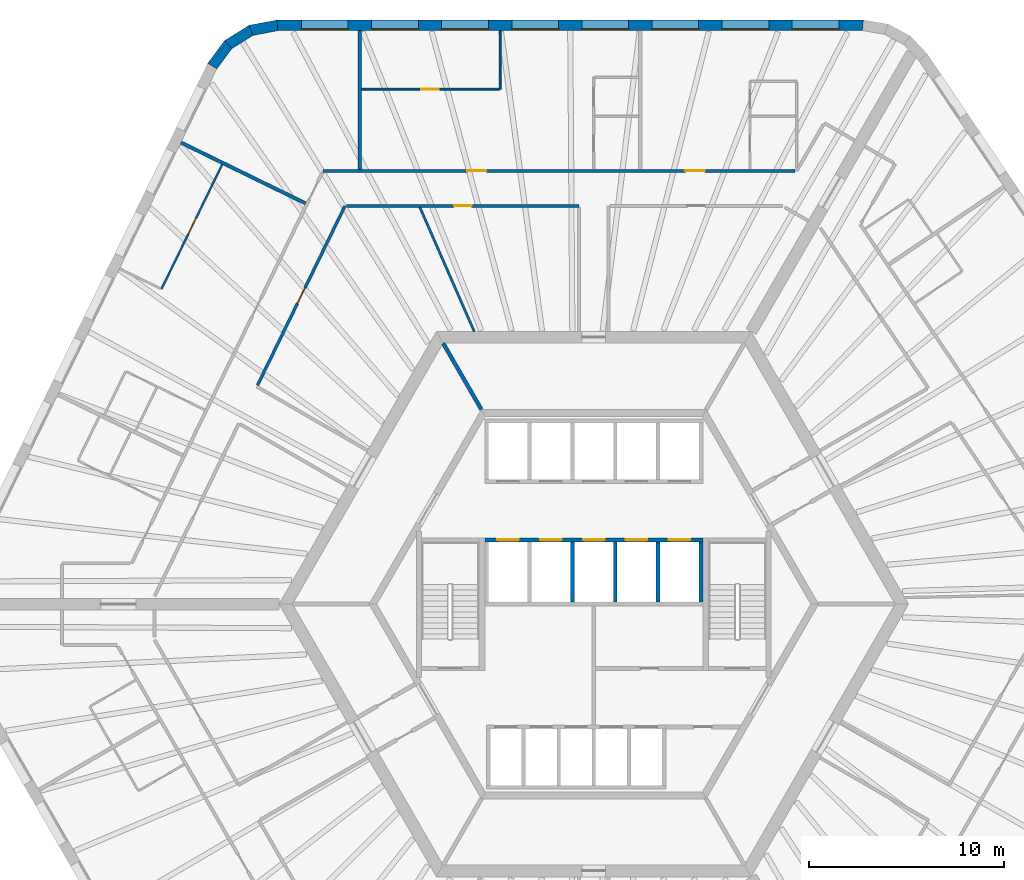
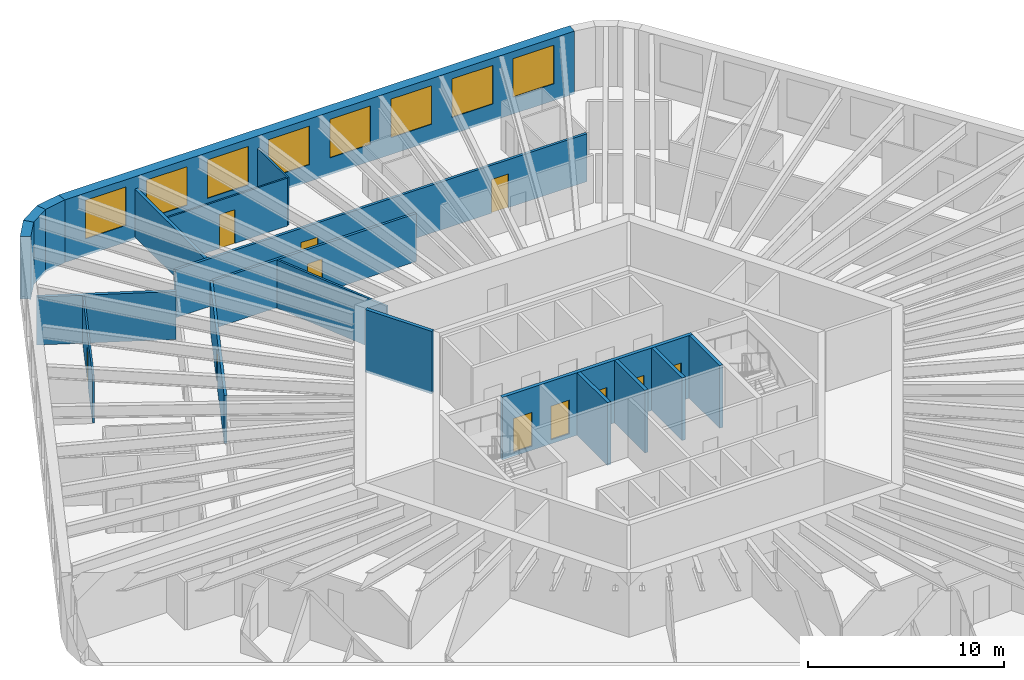
# One storey, part 8 of 12: 19 walls, 11 doors, 8 windows, 19 openings.
"""IFC4 building model written with IfcOpenShell, lengths in metres."""

from ifc_helpers import new_model, si_unit, direction, frame, frame_2d, origin, place, context, subcontext, project, spatial, polyline, rectangle, outline, extrude, material, layer, layer_set, type_object, element, fill, save


model = new_model("IFC4")

# Units and contexts
model_context = context("Model", 3, precision=1e-05, world=origin(), true_north=direction((0.0, 1.0)))
body_context = subcontext(model_context, "Body", "Model", "MODEL_VIEW")
ifc_project = project(units=[si_unit("LENGTHUNIT", "METRE"), si_unit("AREAUNIT", "SQUARE_METRE"), si_unit("VOLUMEUNIT", "CUBIC_METRE"), si_unit("PLANEANGLEUNIT", "RADIAN"), si_unit("MASSUNIT", "GRAM", prefix="KILO")], contexts=[model_context])

# Site, building, storey
site_placement = place(None, origin())
site = spatial("IfcSite", under=ifc_project, at=site_placement, CompositionType="ELEMENT")
building_placement = place(site_placement, origin())
building = spatial("IfcBuilding", under=site, at=building_placement, Name="Tarnside Tower", CompositionType="ELEMENT")
storey_placement = place(building_placement, frame((0.0, 0.0, 96.0)))
storey = spatial("IfcBuildingStorey", under=building, at=storey_placement, Name="L21", CompositionType="ELEMENT", Elevation=96.0)

# Wall, openings, doors
ifc_material_1 = material(Name="Gypsum board partition on steel studs", Category="steel")
ifc_layer_1 = layer(ifc_material_1, 0.14990234375)
ifc_layer_set_1 = layer_set([ifc_layer_1], Name="Corridor wall 150 EI 60")
wall_type_1 = type_object("IfcWallType", Name="Corridor wall 150 EI 60", PredefinedType="PARTITIONING", material=ifc_layer_set_1)
wall_1_placement = place(storey_placement, frame((10.33447265625, 22.25, 0.0), z_axis=(0.0, 0.0, 1.0), x_axis=(-1.0, 0.0, 0.0)))
wall_1 = element("IfcWall", 1, at=wall_1_placement, inside=storey, type_object=wall_type_1, Name="Corridor wall 06001", PredefinedType="PARTITIONING", context=body_context, shape_type="SweptSolid", body=[
    extrude(rectangle(XDim=24.23779296875, YDim=0.14990234375, at=frame_2d((12.118896484375, 0.0))), origin(), (0.0, 0.0, 1.0), 2.98779296875),
])
opening_1_placement = place(wall_1_placement, frame((4.62939453125, 0.0, 0.0)))
opening_1 = element("IfcOpeningElement", 2, at=opening_1_placement, cuts=wall_1, Name="Opening D-E1", PredefinedType="OPENING", context=body_context, shape_type="SweptSolid", body=[
    extrude(rectangle(XDim=1.0, YDim=2.10009765625, at=frame_2d((0.5, 1.050048828125))), frame((0.0, 0.0849609375, 0.0), z_axis=(0.0, -1.0, 0.0), x_axis=(1.0, 0.0, 0.0)), (0.0, 0.0, 1.0), 0.169921875),
])
opening_2_placement = place(wall_1_placement, frame((15.845703125, 0.0, 0.0)))
opening_2 = element("IfcOpeningElement", 3, at=opening_2_placement, cuts=wall_1, Name="Opening D-E1", PredefinedType="OPENING", context=body_context, shape_type="SweptSolid", body=[
    extrude(rectangle(XDim=1.0, YDim=2.10009765625, at=frame_2d((0.5, 1.050048828125))), frame((0.0, 0.0849609375, 0.0), z_axis=(0.0, -1.0, 0.0), x_axis=(1.0, 0.0, 0.0)), (0.0, 0.0, 1.0), 0.169921875),
])
ifc_material_2 = material(Name="Timber door leaf", Category="wood")
door_type_1 = type_object("IfcDoorType", Name="Unit entrance door 1000 FD30S", OperationType="NOTDEFINED", PredefinedType="DOOR", material=ifc_material_2)
door_1_placement = place(opening_1_placement, origin())
door_1 = element("IfcDoor", 4, at=door_1_placement, inside=storey, type_object=door_type_1, Name="Unit door 06001", OperationType="SINGLE_SWING_LEFT", OverallHeight=2.10009765625, OverallWidth=1.0, PredefinedType="DOOR", context=body_context, shape_type="SweptSolid", body=[
    extrude(rectangle(XDim=1.0, YDim=2.10009765625, at=frame_2d((0.5, 1.050048828125))), frame((0.0, 0.02490234375, 0.0), z_axis=(0.0, -1.0, 0.0), x_axis=(1.0, 0.0, 0.0)), (0.0, 0.0, 1.0), 0.050048828125),
])
fill(opening_1, door_1)
door_2_placement = place(opening_2_placement, origin())
door_2 = element("IfcDoor", 5, at=door_2_placement, inside=storey, type_object=door_type_1, Name="Unit door 06004", OperationType="SINGLE_SWING_RIGHT", OverallHeight=2.10009765625, OverallWidth=1.0, PredefinedType="DOOR", context=body_context, shape_type="SweptSolid", body=[
    extrude(rectangle(XDim=1.0, YDim=2.10009765625, at=frame_2d((0.5, 1.050048828125))), frame((0.0, 0.02490234375, 0.0), z_axis=(0.0, -1.0, 0.0), x_axis=(1.0, 0.0, 0.0)), (0.0, 0.0, 1.0), 0.050048828125),
])
fill(opening_2, door_2)

# Wall, opening, door
wall_2_placement = place(storey_placement, frame((-12.695068359375, 20.449951171875, 0.0), z_axis=(0.0, 0.0, 1.0), x_axis=(1.0, 0.0, 0.0)))
wall_2 = element("IfcWall", 6, at=wall_2_placement, inside=storey, type_object=wall_type_1, Name="Corridor wall 06015", PredefinedType="PARTITIONING", context=body_context, shape_type="SweptSolid", body=[
    extrude(rectangle(XDim=11.945068359375, YDim=0.14990234375, at=frame_2d((5.97265625, 0.0))), origin(), (0.0, 0.0, 1.0), 2.98779296875),
])
opening_3_placement = place(wall_2_placement, frame((5.5224609375, 0.0, 0.0)))
opening_3 = element("IfcOpeningElement", 7, at=opening_3_placement, cuts=wall_2, Name="Opening D-S1", PredefinedType="OPENING", context=body_context, shape_type="SweptSolid", body=[
    extrude(rectangle(XDim=0.89990234375, YDim=2.10009765625, at=frame_2d((0.449951171875, 1.050048828125))), frame((0.0, 0.0849609375, 0.0), z_axis=(0.0, -1.0, 0.0), x_axis=(1.0, 0.0, 0.0)), (0.0, 0.0, 1.0), 0.169921875),
])
door_type_2 = type_object("IfcDoorType", Name="Service room door 900 FD30S", OperationType="NOTDEFINED", PredefinedType="DOOR", material=ifc_material_2)
door_3_placement = place(opening_3_placement, origin())
door_3 = element("IfcDoor", 8, at=door_3_placement, inside=storey, type_object=door_type_2, Name="Service door 06042", OperationType="SINGLE_SWING_RIGHT", OverallHeight=2.10009765625, OverallWidth=0.89990234375, PredefinedType="DOOR", context=body_context, shape_type="SweptSolid", body=[
    extrude(rectangle(XDim=0.89990234375, YDim=2.10009765625, at=frame_2d((0.449951171875, 1.050048828125))), frame((0.0, 0.02490234375, 0.0), z_axis=(0.0, -1.0, 0.0), x_axis=(1.0, 0.0, 0.0)), (0.0, 0.0, 1.0), 0.050048828125),
])
fill(opening_3, door_3)

wall_3_placement = place(storey_placement, frame((-17.271728515625, 11.237548828125, 0.0), z_axis=(0.0, 0.0, 1.0), x_axis=(0.438369193793, 0.898794998836, 0.0)))
wall_3 = element("IfcWall", 9, at=wall_3_placement, inside=storey, type_object=wall_type_1, Name="Corridor wall 06018", PredefinedType="PARTITIONING", context=body_context, shape_type="SweptSolid", body=[
    extrude(rectangle(XDim=10.249755859375, YDim=0.14990234375, at=frame_2d((5.125, 0.0))), origin(), (0.0, 0.0, 1.0), 2.98779296875),
])
opening_4_placement = place(wall_3_placement, frame((4.6748046875, 0.0, 0.0)))
opening_4 = element("IfcOpeningElement", 10, at=opening_4_placement, cuts=wall_3, Name="Opening D-S1", PredefinedType="OPENING", context=body_context, shape_type="SweptSolid", body=[
    extrude(rectangle(XDim=0.89990234375, YDim=2.10009765625, at=frame_2d((0.449951171875, 1.050048828125))), frame((0.0, 0.0849609375, 0.0), z_axis=(0.0, -1.0, 0.0), x_axis=(1.0, 0.0, 0.0)), (0.0, 0.0, 1.0), 0.169921875),
])
door_4_placement = place(opening_4_placement, origin())
door_4 = element("IfcDoor", 11, at=door_4_placement, inside=storey, type_object=door_type_2, Name="Service door 06043", OperationType="SINGLE_SWING_LEFT", OverallHeight=2.10009765625, OverallWidth=0.89990234375, PredefinedType="DOOR", context=body_context, shape_type="SweptSolid", body=[
    extrude(rectangle(XDim=0.89990234375, YDim=2.10009765625, at=frame_2d((0.449951171875, 1.050048828125))), frame((0.0, 0.02490234375, 0.0), z_axis=(0.0, -1.0, 0.0), x_axis=(1.0, 0.0, 0.0)), (0.0, 0.0, 1.0), 0.050048828125),
])
fill(opening_4, door_4)

# Walls
ifc_layer_2 = layer(ifc_material_1, 0.179931640625)
ifc_layer_set_2 = layer_set([ifc_layer_2], Name="Demising wall 180 EI 60")
wall_type_2 = type_object("IfcWallType", Name="Demising wall 180 EI 60", PredefinedType="PARTITIONING", material=ifc_layer_set_2)
for number, where, z_axis, x_axis, name in (
    (12, (-12.010986328125, 29.449951171875, 0.0), (0.0, 0.0, 1.0), (0.0, -1.0, 0.0), "Demising wall 06090"),
    (13, (-21.2041015625, 23.70556640625, 0.0), (0.0, 0.0, 1.0), (0.898783593711, -0.438392577123, 0.0), "Demising wall 06093"),
):
    element("IfcWall", number, at=place(storey_placement, frame(where, z_axis=z_axis, x_axis=x_axis)), inside=storey, type_object=wall_type_2, Name=name, PredefinedType="PARTITIONING", context=body_context, shape_type="SweptSolid", body=[
        extrude(rectangle(XDim=7.125, YDim=0.179931640625, at=frame_2d((3.5625, 0.0))), origin(), (0.0, 0.0, 1.0), 2.98779296875),
    ])

# Wall, openings, doors
ifc_material_3 = material(Name="Concrete C40/50", Category="concrete")
ifc_layer_3 = layer(ifc_material_3, 0.199951171875)
ifc_layer_set_3 = layer_set([ifc_layer_3], Name="Lift shaft wall 200 C40/50")
wall_type_3 = type_object("IfcWallType", Name="Lift shaft wall 200 C40/50", PredefinedType="SHEAR", material=ifc_layer_set_3)
wall_4_placement = place(storey_placement, frame((-5.60009765625, 3.300048828125, -0.25), z_axis=(0.0, 0.0, 1.0), x_axis=(1.0, 0.0, 0.0)))
wall_4 = element("IfcWall", 14, at=wall_4_placement, inside=storey, type_object=wall_type_3, Name="L21 lift shaft front wall R2", PredefinedType="SHEAR", context=body_context, shape_type="SweptSolid", body=[
    extrude(rectangle(XDim=11.2001953125, YDim=0.199951171875, at=frame_2d((5.60009765625, 0.0))), origin(), (0.0, 0.0, 1.0), 3.89990234375),
])
opening_5_placement = place(wall_4_placement, frame((0.64990234375, 0.0, 0.25)))
opening_5 = element("IfcOpeningElement", 15, at=opening_5_placement, cuts=wall_4, Name="Opening LD", PredefinedType="OPENING", context=body_context, shape_type="SweptSolid", body=[
    extrude(rectangle(XDim=1.10009765625, YDim=2.10009765625, at=frame_2d((0.550048828125, 1.050048828125))), frame((0.0, 0.10986328125, 0.0), z_axis=(0.0, -1.0, 0.0), x_axis=(1.0, 0.0, 0.0)), (0.0, 0.0, 1.0), 0.219970703125),
])
opening_6_placement = place(wall_4_placement, frame((2.85009765625, 0.0, 0.25)))
opening_6 = element("IfcOpeningElement", 16, at=opening_6_placement, cuts=wall_4, Name="Opening LD", PredefinedType="OPENING", context=body_context, shape_type="SweptSolid", body=[
    extrude(rectangle(XDim=1.10009765625, YDim=2.10009765625, at=frame_2d((0.550048828125, 1.050048828125))), frame((0.0, 0.10986328125, 0.0), z_axis=(0.0, -1.0, 0.0), x_axis=(1.0, 0.0, 0.0)), (0.0, 0.0, 1.0), 0.219970703125),
])
opening_7_placement = place(wall_4_placement, frame((5.050048828125, 0.0, 0.25)))
opening_7 = element("IfcOpeningElement", 17, at=opening_7_placement, cuts=wall_4, Name="Opening LD", PredefinedType="OPENING", context=body_context, shape_type="SweptSolid", body=[
    extrude(rectangle(XDim=1.10009765625, YDim=2.10009765625, at=frame_2d((0.550048828125, 1.050048828125))), frame((0.0, 0.10986328125, 0.0), z_axis=(0.0, -1.0, 0.0), x_axis=(1.0, 0.0, 0.0)), (0.0, 0.0, 1.0), 0.219970703125),
])
opening_8_placement = place(wall_4_placement, frame((7.25, 0.0, 0.25)))
opening_8 = element("IfcOpeningElement", 18, at=opening_8_placement, cuts=wall_4, Name="Opening LD", PredefinedType="OPENING", context=body_context, shape_type="SweptSolid", body=[
    extrude(rectangle(XDim=1.10009765625, YDim=2.10009765625, at=frame_2d((0.550048828125, 1.050048828125))), frame((0.0, 0.10986328125, 0.0), z_axis=(0.0, -1.0, 0.0), x_axis=(1.0, 0.0, 0.0)), (0.0, 0.0, 1.0), 0.219970703125),
])
opening_9_placement = place(wall_4_placement, frame((9.449951171875, 0.0, 0.25)))
opening_9 = element("IfcOpeningElement", 19, at=opening_9_placement, cuts=wall_4, Name="Opening LD", PredefinedType="OPENING", context=body_context, shape_type="SweptSolid", body=[
    extrude(rectangle(XDim=1.10009765625, YDim=2.10009765625, at=frame_2d((0.550048828125, 1.050048828125))), frame((0.0, 0.10986328125, 0.0), z_axis=(0.0, -1.0, 0.0), x_axis=(1.0, 0.0, 0.0)), (0.0, 0.0, 1.0), 0.219970703125),
])
ifc_material_4 = material(Name="Stainless steel", Category="steel")
door_type_3 = type_object("IfcDoorType", Name="Lift landing door 1100x2100", OperationType="NOTDEFINED", PredefinedType="DOOR", material=ifc_material_4)
door_5_placement = place(opening_5_placement, origin())
door_5 = element("IfcDoor", 20, at=door_5_placement, inside=storey, type_object=door_type_3, Name="Low-rise lift 4 landing door L21", OperationType="SLIDING_TO_LEFT", OverallHeight=2.10009765625, OverallWidth=1.10009765625, PredefinedType="DOOR", context=body_context, shape_type="SweptSolid", body=[
    extrude(rectangle(XDim=1.10009765625, YDim=2.10009765625, at=frame_2d((0.550048828125, 1.050048828125))), frame((0.0, 0.02490234375, 0.0), z_axis=(0.0, -1.0, 0.0), x_axis=(1.0, 0.0, 0.0)), (0.0, 0.0, 1.0), 0.050048828125),
])
fill(opening_5, door_5)
door_6_placement = place(opening_6_placement, origin())
door_6 = element("IfcDoor", 21, at=door_6_placement, inside=storey, type_object=door_type_3, Name="Low-rise lift 5 landing door L21", OperationType="SLIDING_TO_LEFT", OverallHeight=2.10009765625, OverallWidth=1.10009765625, PredefinedType="DOOR", context=body_context, shape_type="SweptSolid", body=[
    extrude(rectangle(XDim=1.10009765625, YDim=2.10009765625, at=frame_2d((0.550048828125, 1.050048828125))), frame((0.0, 0.02490234375, 0.0), z_axis=(0.0, -1.0, 0.0), x_axis=(1.0, 0.0, 0.0)), (0.0, 0.0, 1.0), 0.050048828125),
])
fill(opening_6, door_6)
door_7_placement = place(opening_7_placement, origin())
door_7 = element("IfcDoor", 22, at=door_7_placement, inside=storey, type_object=door_type_3, Name="Low-rise lift 6 landing door L21", OperationType="SLIDING_TO_LEFT", OverallHeight=2.10009765625, OverallWidth=1.10009765625, PredefinedType="DOOR", context=body_context, shape_type="SweptSolid", body=[
    extrude(rectangle(XDim=1.10009765625, YDim=2.10009765625, at=frame_2d((0.550048828125, 1.050048828125))), frame((0.0, 0.02490234375, 0.0), z_axis=(0.0, -1.0, 0.0), x_axis=(1.0, 0.0, 0.0)), (0.0, 0.0, 1.0), 0.050048828125),
])
fill(opening_7, door_7)
door_8_placement = place(opening_8_placement, origin())
door_8 = element("IfcDoor", 23, at=door_8_placement, inside=storey, type_object=door_type_3, Name="High sky-lobby shuttle 1 landing door L21", OperationType="SLIDING_TO_LEFT", OverallHeight=2.10009765625, OverallWidth=1.10009765625, PredefinedType="DOOR", context=body_context, shape_type="SweptSolid", body=[
    extrude(rectangle(XDim=1.10009765625, YDim=2.10009765625, at=frame_2d((0.550048828125, 1.050048828125))), frame((0.0, 0.02490234375, 0.0), z_axis=(0.0, -1.0, 0.0), x_axis=(1.0, 0.0, 0.0)), (0.0, 0.0, 1.0), 0.050048828125),
])
fill(opening_8, door_8)
door_9_placement = place(opening_9_placement, origin())
door_9 = element("IfcDoor", 24, at=door_9_placement, inside=storey, type_object=door_type_3, Name="Express sky-lobby shuttle 2 landing door L21", OperationType="SLIDING_TO_LEFT", OverallHeight=2.10009765625, OverallWidth=1.10009765625, PredefinedType="DOOR", context=body_context, shape_type="SweptSolid", body=[
    extrude(rectangle(XDim=1.10009765625, YDim=2.10009765625, at=frame_2d((0.550048828125, 1.050048828125))), frame((0.0, 0.02490234375, 0.0), z_axis=(0.0, -1.0, 0.0), x_axis=(1.0, 0.0, 0.0)), (0.0, 0.0, 1.0), 0.050048828125),
])
fill(opening_9, door_9)

# Walls
for number, where, z_axis, x_axis, name in (
    (25, (-1.10009765625, 0.10009765625, -0.25), (0.0, 0.0, 1.0), (0.0, 1.0, 0.0), "L21 lift shaft partition R23"),
    (26, (1.10009765625, 0.10009765625, -0.25), (0.0, 0.0, 1.0), (0.0, 1.0, 0.0), "L21 lift shaft partition R24"),
    (27, (3.300048828125, 0.10009765625, -0.25), (0.0, 0.0, 1.0), (0.0, 1.0, 0.0), "L21 lift shaft partition R25"),
    (28, (5.5, 0.10009765625, -0.25), (0.0, 0.0, 1.0), (0.0, 1.0, 0.0), "L21 lift shaft partition R26"),
):
    element("IfcWall", number, at=place(storey_placement, frame(where, z_axis=z_axis, x_axis=x_axis)), inside=storey, type_object=wall_type_3, Name=name, PredefinedType="SHEAR", context=body_context, shape_type="SweptSolid", body=[
        extrude(rectangle(XDim=3.099853515625, YDim=0.199951171875, at=frame_2d((1.5498046875, 0.0))), origin(), (0.0, 0.0, 1.0), 3.89990234375),
    ])
wall_5_placement = place(storey_placement, frame((-5.7734375, 10.0, -0.14990234375), z_axis=(0.0, 0.0, 1.0), x_axis=(-0.500038251005, 0.86600331843, 0.0)))
element("IfcWall", 29, at=wall_5_placement, inside=storey, type_object=wall_type_3, Name="L21 core partition AR120", PredefinedType="SHEAR", context=body_context, shape_type="SweptSolid", body=[
    extrude(rectangle(XDim=3.926025390625, YDim=0.199951171875, at=frame_2d((1.962890625, 0.0))), origin(), (0.0, 0.0, 1.0), 3.89990234375),
])
ifc_layer_4 = layer(ifc_material_1, 0.10009765625)
ifc_layer_set_4 = layer_set([ifc_layer_4], Name="Partition 100")
wall_type_4 = type_object("IfcWallType", Name="Partition 100", PredefinedType="PARTITIONING", material=ifc_layer_set_4)
wall_6_placement = place(storey_placement, frame((-4.81103515625, 29.449951171875, 0.0), z_axis=(0.0, 0.0, 1.0), x_axis=(0.0, -1.0, 0.0)))
element("IfcWall", 30, at=wall_6_placement, inside=storey, type_object=wall_type_4, Name="Partition wall 06088", PredefinedType="PARTITIONING", context=body_context, shape_type="SweptSolid", body=[
    extrude(rectangle(XDim=3.0, YDim=0.10009765625, at=frame_2d((1.5, 0.0))), origin(), (0.0, 0.0, 1.0), 2.98779296875),
])

# Wall, opening, door
wall_7_placement = place(storey_placement, frame((-4.861083984375, 26.449951171875, 0.0), z_axis=(0.0, 0.0, 1.0), x_axis=(-1.0, 0.0, 0.0)))
wall_7 = element("IfcWall", 31, at=wall_7_placement, inside=storey, type_object=wall_type_4, Name="Partition wall 06089", PredefinedType="PARTITIONING", context=body_context, shape_type="SweptSolid", body=[
    extrude(rectangle(XDim=7.06005859375, YDim=0.10009765625, at=frame_2d((3.530029296875, 0.0))), origin(), (0.0, 0.0, 1.0), 2.98779296875),
])
opening_10_placement = place(wall_7_placement, frame((3.10009765625, 0.0, 0.0)))
opening_10 = element("IfcOpeningElement", 32, at=opening_10_placement, cuts=wall_7, Name="Opening D-I1", PredefinedType="OPENING", context=body_context, shape_type="SweptSolid", body=[
    extrude(rectangle(XDim=0.89990234375, YDim=2.10009765625, at=frame_2d((0.449951171875, 1.050048828125))), frame((0.0, 0.06005859375, 0.0), z_axis=(0.0, -1.0, 0.0), x_axis=(1.0, 0.0, 0.0)), (0.0, 0.0, 1.0), 0.1201171875),
])
door_type_4 = type_object("IfcDoorType", Name="Internal door 900", OperationType="NOTDEFINED", PredefinedType="DOOR", material=ifc_material_2)
door_10_placement = place(opening_10_placement, origin())
door_10 = element("IfcDoor", 33, at=door_10_placement, inside=storey, type_object=door_type_4, Name="Internal door 06007", OperationType="SINGLE_SWING_RIGHT", OverallHeight=2.10009765625, OverallWidth=0.89990234375, PredefinedType="DOOR", context=body_context, shape_type="SweptSolid", body=[
    extrude(rectangle(XDim=0.89990234375, YDim=2.10009765625, at=frame_2d((0.449951171875, 1.050048828125))), frame((0.0, 0.02490234375, 0.0), z_axis=(0.0, -1.0, 0.0), x_axis=(1.0, 0.0, 0.0)), (0.0, 0.0, 1.0), 0.050048828125),
])
fill(opening_10, door_10)

wall_8_placement = place(storey_placement, frame((-19.08642578125, 22.572509765625, 0.0), z_axis=(0.0, 0.0, 1.0), x_axis=(-0.438387776054, -0.898785935475, 0.0)))
wall_8 = element("IfcWall", 34, at=wall_8_placement, inside=storey, type_object=wall_type_4, Name="Partition wall 06098", PredefinedType="PARTITIONING", context=body_context, shape_type="SweptSolid", body=[
    extrude(rectangle(XDim=7.110107421875, YDim=0.10009765625, at=frame_2d((3.55517578125, 0.0))), origin(), (0.0, 0.0, 1.0), 2.98779296875),
])
opening_11_placement = place(wall_8_placement, frame((3.06005859375, 0.0, 0.0)))
opening_11 = element("IfcOpeningElement", 35, at=opening_11_placement, cuts=wall_8, Name="Opening D-I1", PredefinedType="OPENING", context=body_context, shape_type="SweptSolid", body=[
    extrude(rectangle(XDim=0.89990234375, YDim=2.10009765625, at=frame_2d((0.449951171875, 1.050048828125))), frame((0.0, 0.06005859375, 0.0), z_axis=(0.0, -1.0, 0.0), x_axis=(1.0, 0.0, 0.0)), (0.0, 0.0, 1.0), 0.1201171875),
])
door_11_placement = place(opening_11_placement, origin())
door_11 = element("IfcDoor", 36, at=door_11_placement, inside=storey, type_object=door_type_4, Name="Internal door 06012", OperationType="SINGLE_SWING_RIGHT", OverallHeight=2.10009765625, OverallWidth=0.89990234375, PredefinedType="DOOR", context=body_context, shape_type="SweptSolid", body=[
    extrude(rectangle(XDim=0.89990234375, YDim=2.10009765625, at=frame_2d((0.449951171875, 1.050048828125))), frame((0.0, 0.02490234375, 0.0), z_axis=(0.0, -1.0, 0.0), x_axis=(1.0, 0.0, 0.0)), (0.0, 0.0, 1.0), 0.050048828125),
])
fill(opening_11, door_11)

# Wall
ifc_layer_5 = layer(ifc_material_1, 0.1201171875)
ifc_layer_set_5 = layer_set([ifc_layer_5], Name="Service room wall 120 EI 60")
wall_type_5 = type_object("IfcWallType", Name="Service room wall 120 EI 60", PredefinedType="PARTITIONING", material=ifc_layer_set_5)
wall_9_placement = place(storey_placement, frame((-8.931640625, 20.375, 0.0), z_axis=(0.0, 0.0, 1.0), x_axis=(0.401495831576, -0.915860850363, 0.0)))
element("IfcWall", 37, at=wall_9_placement, inside=storey, type_object=wall_type_5, Name="Service wall 06163", PredefinedType="PARTITIONING", context=body_context, shape_type="SweptSolid", body=[
    extrude(rectangle(XDim=6.960693359375, YDim=0.1201171875, at=frame_2d((3.48046875, 0.0))), origin(), (0.0, 0.0, 1.0), 2.98779296875),
])

# Wall, openings, windows
ifc_material_5 = material(Name="Facing brick", Category="masonry")
ifc_layer_6 = layer(ifc_material_5, 0.10205078125)
ifc_material_6 = material(Name="Concrete C60/75 precast", Category="concrete")
ifc_layer_7 = layer(ifc_material_6, 0.347900390625)
ifc_material_7 = material(Name="Mineral wool insulation")
ifc_layer_8 = layer(ifc_material_7, 0.10009765625)
ifc_layer_set_6 = layer_set([ifc_layer_6, ifc_layer_7, ifc_layer_8], Name="Tube wall 550 brick faced")
wall_type_6 = type_object("IfcWallType", Name="Tube wall 550 brick faced", PredefinedType="SOLIDWALL", material=ifc_layer_set_6)
wall_10_placement = place(storey_placement, frame((13.824462890625, 29.72509765625, -0.14990234375), z_axis=(0.0, 0.0, 1.0), x_axis=(-1.0, 0.0, 0.0)))
wall_10 = element("IfcWall", 38, at=wall_10_placement, inside=storey, type_object=wall_type_6, Name="Tube wall L21 F1 flush 00", PredefinedType="SOLIDWALL", context=body_context, shape_type="SweptSolid", body=[
    extrude(outline(polyline([(-0.0224609375, -0.27490234375), (30.0966796875, -0.27490234375), (30.04541015625, 0.27490234375), (0.0224609375, 0.27490234375), (-0.0224609375, -0.27490234375)])), origin(), (0.0, 0.0, 1.0), 3.89990234375),
])
opening_12_placement = place(wall_10_placement, frame((1.235595703125, 0.0, 1.050048828125)))
opening_12 = element("IfcOpeningElement", 39, at=opening_12_placement, cuts=wall_10, Name="Opening WH", PredefinedType="OPENING", context=body_context, shape_type="SweptSolid", body=[
    extrude(rectangle(XDim=2.39990234375, YDim=2.39990234375, at=frame_2d((1.199951171875, 1.199951171875))), frame((0.0, 0.28515625, 0.0), z_axis=(0.0, -1.0, 0.0), x_axis=(1.0, 0.0, 0.0)), (0.0, 0.0, 1.0), 0.570068359375),
])
opening_13_placement = place(wall_10_placement, frame((4.83544921875, 0.0, 1.050048828125)))
opening_13 = element("IfcOpeningElement", 40, at=opening_13_placement, cuts=wall_10, Name="Opening WH", PredefinedType="OPENING", context=body_context, shape_type="SweptSolid", body=[
    extrude(rectangle(XDim=2.39990234375, YDim=2.39990234375, at=frame_2d((1.199951171875, 1.199951171875))), frame((0.0, 0.28515625, 0.0), z_axis=(0.0, -1.0, 0.0), x_axis=(1.0, 0.0, 0.0)), (0.0, 0.0, 1.0), 0.570068359375),
])
opening_14_placement = place(wall_10_placement, frame((8.435546875, 0.0, 1.050048828125)))
opening_14 = element("IfcOpeningElement", 41, at=opening_14_placement, cuts=wall_10, Name="Opening WH", PredefinedType="OPENING", context=body_context, shape_type="SweptSolid", body=[
    extrude(rectangle(XDim=2.39990234375, YDim=2.39990234375, at=frame_2d((1.199951171875, 1.199951171875))), frame((0.0, 0.28515625, 0.0), z_axis=(0.0, -1.0, 0.0), x_axis=(1.0, 0.0, 0.0)), (0.0, 0.0, 1.0), 0.570068359375),
])
opening_15_placement = place(wall_10_placement, frame((12.035400390625, 0.0, 1.050048828125)))
opening_15 = element("IfcOpeningElement", 42, at=opening_15_placement, cuts=wall_10, Name="Opening WH", PredefinedType="OPENING", context=body_context, shape_type="SweptSolid", body=[
    extrude(rectangle(XDim=2.39990234375, YDim=2.39990234375, at=frame_2d((1.199951171875, 1.199951171875))), frame((0.0, 0.28515625, 0.0), z_axis=(0.0, -1.0, 0.0), x_axis=(1.0, 0.0, 0.0)), (0.0, 0.0, 1.0), 0.570068359375),
])
opening_16_placement = place(wall_10_placement, frame((15.635498046875, 0.0, 1.050048828125)))
opening_16 = element("IfcOpeningElement", 43, at=opening_16_placement, cuts=wall_10, Name="Opening WH", PredefinedType="OPENING", context=body_context, shape_type="SweptSolid", body=[
    extrude(rectangle(XDim=2.39990234375, YDim=2.39990234375, at=frame_2d((1.199951171875, 1.199951171875))), frame((0.0, 0.28515625, 0.0), z_axis=(0.0, -1.0, 0.0), x_axis=(1.0, 0.0, 0.0)), (0.0, 0.0, 1.0), 0.570068359375),
])
opening_17_placement = place(wall_10_placement, frame((19.235595703125, 0.0, 1.050048828125)))
opening_17 = element("IfcOpeningElement", 44, at=opening_17_placement, cuts=wall_10, Name="Opening WH", PredefinedType="OPENING", context=body_context, shape_type="SweptSolid", body=[
    extrude(rectangle(XDim=2.39990234375, YDim=2.39990234375, at=frame_2d((1.199951171875, 1.199951171875))), frame((0.0, 0.28515625, 0.0), z_axis=(0.0, -1.0, 0.0), x_axis=(1.0, 0.0, 0.0)), (0.0, 0.0, 1.0), 0.570068359375),
])
opening_18_placement = place(wall_10_placement, frame((22.83544921875, 0.0, 1.050048828125)))
opening_18 = element("IfcOpeningElement", 45, at=opening_18_placement, cuts=wall_10, Name="Opening WH", PredefinedType="OPENING", context=body_context, shape_type="SweptSolid", body=[
    extrude(rectangle(XDim=2.39990234375, YDim=2.39990234375, at=frame_2d((1.199951171875, 1.199951171875))), frame((0.0, 0.28515625, 0.0), z_axis=(0.0, -1.0, 0.0), x_axis=(1.0, 0.0, 0.0)), (0.0, 0.0, 1.0), 0.570068359375),
])
opening_19_placement = place(wall_10_placement, frame((26.435546875, 0.0, 1.050048828125)))
opening_19 = element("IfcOpeningElement", 46, at=opening_19_placement, cuts=wall_10, Name="Opening WH", PredefinedType="OPENING", context=body_context, shape_type="SweptSolid", body=[
    extrude(rectangle(XDim=2.39990234375, YDim=2.39990234375, at=frame_2d((1.199951171875, 1.199951171875))), frame((0.0, 0.28515625, 0.0), z_axis=(0.0, -1.0, 0.0), x_axis=(1.0, 0.0, 0.0)), (0.0, 0.0, 1.0), 0.570068359375),
])
ifc_material_8 = material(Name="Aluminium-framed double glazing", Category="aluminium")
window_type = type_object("IfcWindowType", Name="Hotel window 2400 x 2400", PartitioningType="DOUBLE_PANEL_VERTICAL", PredefinedType="WINDOW", material=ifc_material_8)
window_1_placement = place(opening_12_placement, frame((0.0, 0.205078125, 0.0)))
window_1 = element("IfcWindow", 47, at=window_1_placement, inside=storey, type_object=window_type, Name="E.WN.L21.F1.00", OverallHeight=2.39990234375, OverallWidth=2.39990234375, PartitioningType="DOUBLE_PANEL_VERTICAL", PredefinedType="WINDOW", context=body_context, shape_type="SweptSolid", body=[
    extrude(rectangle(XDim=2.39990234375, YDim=2.39990234375, at=frame_2d((1.199951171875, 1.199951171875))), frame((0.0, 0.030029296875, 0.0), z_axis=(0.0, -1.0, 0.0), x_axis=(1.0, 0.0, 0.0)), (0.0, 0.0, 1.0), 0.06005859375),
])
fill(opening_12, window_1)
window_2_placement = place(opening_13_placement, frame((0.0, 0.205078125, 0.0)))
window_2 = element("IfcWindow", 48, at=window_2_placement, inside=storey, type_object=window_type, Name="E.WN.L21.F1.01", OverallHeight=2.39990234375, OverallWidth=2.39990234375, PartitioningType="DOUBLE_PANEL_VERTICAL", PredefinedType="WINDOW", context=body_context, shape_type="SweptSolid", body=[
    extrude(rectangle(XDim=2.39990234375, YDim=2.39990234375, at=frame_2d((1.199951171875, 1.199951171875))), frame((0.0, 0.030029296875, 0.0), z_axis=(0.0, -1.0, 0.0), x_axis=(1.0, 0.0, 0.0)), (0.0, 0.0, 1.0), 0.06005859375),
])
fill(opening_13, window_2)
window_3_placement = place(opening_14_placement, frame((0.0, 0.205078125, 0.0)))
window_3 = element("IfcWindow", 49, at=window_3_placement, inside=storey, type_object=window_type, Name="E.WN.L21.F1.02", OverallHeight=2.39990234375, OverallWidth=2.39990234375, PartitioningType="DOUBLE_PANEL_VERTICAL", PredefinedType="WINDOW", context=body_context, shape_type="SweptSolid", body=[
    extrude(rectangle(XDim=2.39990234375, YDim=2.39990234375, at=frame_2d((1.199951171875, 1.199951171875))), frame((0.0, 0.030029296875, 0.0), z_axis=(0.0, -1.0, 0.0), x_axis=(1.0, 0.0, 0.0)), (0.0, 0.0, 1.0), 0.06005859375),
])
fill(opening_14, window_3)
window_4_placement = place(opening_15_placement, frame((0.0, 0.205078125, 0.0)))
window_4 = element("IfcWindow", 50, at=window_4_placement, inside=storey, type_object=window_type, Name="E.WN.L21.F1.03", OverallHeight=2.39990234375, OverallWidth=2.39990234375, PartitioningType="DOUBLE_PANEL_VERTICAL", PredefinedType="WINDOW", context=body_context, shape_type="SweptSolid", body=[
    extrude(rectangle(XDim=2.39990234375, YDim=2.39990234375, at=frame_2d((1.199951171875, 1.199951171875))), frame((0.0, 0.030029296875, 0.0), z_axis=(0.0, -1.0, 0.0), x_axis=(1.0, 0.0, 0.0)), (0.0, 0.0, 1.0), 0.06005859375),
])
fill(opening_15, window_4)
window_5_placement = place(opening_16_placement, frame((0.0, 0.205078125, 0.0)))
window_5 = element("IfcWindow", 51, at=window_5_placement, inside=storey, type_object=window_type, Name="E.WN.L21.F1.04", OverallHeight=2.39990234375, OverallWidth=2.39990234375, PartitioningType="DOUBLE_PANEL_VERTICAL", PredefinedType="WINDOW", context=body_context, shape_type="SweptSolid", body=[
    extrude(rectangle(XDim=2.39990234375, YDim=2.39990234375, at=frame_2d((1.199951171875, 1.199951171875))), frame((0.0, 0.030029296875, 0.0), z_axis=(0.0, -1.0, 0.0), x_axis=(1.0, 0.0, 0.0)), (0.0, 0.0, 1.0), 0.06005859375),
])
fill(opening_16, window_5)
window_6_placement = place(opening_17_placement, frame((0.0, 0.205078125, 0.0)))
window_6 = element("IfcWindow", 52, at=window_6_placement, inside=storey, type_object=window_type, Name="E.WN.L21.F1.05", OverallHeight=2.39990234375, OverallWidth=2.39990234375, PartitioningType="DOUBLE_PANEL_VERTICAL", PredefinedType="WINDOW", context=body_context, shape_type="SweptSolid", body=[
    extrude(rectangle(XDim=2.39990234375, YDim=2.39990234375, at=frame_2d((1.199951171875, 1.199951171875))), frame((0.0, 0.030029296875, 0.0), z_axis=(0.0, -1.0, 0.0), x_axis=(1.0, 0.0, 0.0)), (0.0, 0.0, 1.0), 0.06005859375),
])
fill(opening_17, window_6)
window_7_placement = place(opening_18_placement, frame((0.0, 0.205078125, 0.0)))
window_7 = element("IfcWindow", 53, at=window_7_placement, inside=storey, type_object=window_type, Name="E.WN.L21.F1.06", OverallHeight=2.39990234375, OverallWidth=2.39990234375, PartitioningType="DOUBLE_PANEL_VERTICAL", PredefinedType="WINDOW", context=body_context, shape_type="SweptSolid", body=[
    extrude(rectangle(XDim=2.39990234375, YDim=2.39990234375, at=frame_2d((1.199951171875, 1.199951171875))), frame((0.0, 0.030029296875, 0.0), z_axis=(0.0, -1.0, 0.0), x_axis=(1.0, 0.0, 0.0)), (0.0, 0.0, 1.0), 0.06005859375),
])
fill(opening_18, window_7)
window_8_placement = place(opening_19_placement, frame((0.0, 0.205078125, 0.0)))
window_8 = element("IfcWindow", 54, at=window_8_placement, inside=storey, type_object=window_type, Name="E.WN.L21.F1.07", OverallHeight=2.39990234375, OverallWidth=2.39990234375, PartitioningType="DOUBLE_PANEL_VERTICAL", PredefinedType="WINDOW", context=body_context, shape_type="SweptSolid", body=[
    extrude(rectangle(XDim=2.39990234375, YDim=2.39990234375, at=frame_2d((1.199951171875, 1.199951171875))), frame((0.0, 0.030029296875, 0.0), z_axis=(0.0, -1.0, 0.0), x_axis=(1.0, 0.0, 0.0)), (0.0, 0.0, 1.0), 0.06005859375),
])
fill(opening_19, window_8)

# Walls
wall_11_placement = place(storey_placement, frame((-16.24658203125, 29.72509765625, -0.14990234375), z_axis=(0.0, 0.0, 1.0), x_axis=(-0.982705443133, -0.185175624845, 0.0)))
element("IfcWall", 55, at=wall_11_placement, inside=storey, type_object=wall_type_6, Name="Tube wall L21 F1 chord 01", PredefinedType="SOLIDWALL", context=body_context, shape_type="SweptSolid", body=[
    extrude(outline(polyline([(-0.025634765625, -0.27490234375), (1.430908203125, -0.27490234375), (1.327392578125, 0.27490234375), (0.025634765625, 0.27490234375), (-0.025634765625, -0.27490234375)])), origin(), (0.0, 0.0, 1.0), 3.89990234375),
])
wall_12_placement = place(storey_placement, frame((-17.601806640625, 29.4697265625, -0.14990234375), z_axis=(0.0, 0.0, 1.0), x_axis=(-0.848057977594, -0.5299034503, 0.0)))
element("IfcWall", 56, at=wall_12_placement, inside=storey, type_object=wall_type_6, Name="Tube wall L21 F1 chord 02", PredefinedType="SOLIDWALL", context=body_context, shape_type="SweptSolid", body=[
    extrude(outline(polyline([(-0.0517578125, -0.27490234375), (1.4306640625, -0.27490234375), (1.3271484375, 0.27490234375), (0.0517578125, 0.27490234375), (-0.0517578125, -0.27490234375)])), origin(), (0.0, 0.0, 1.0), 3.89990234375),
])
wall_13_placement = place(storey_placement, frame((-18.771240234375, 28.739013671875, -0.14990234375), z_axis=(0.0, 0.0, 1.0), x_axis=(-0.597135295884, -0.802140535324, 0.0)))
element("IfcWall", 57, at=wall_13_placement, inside=storey, type_object=wall_type_6, Name="Tube wall L21 F1 chord 03", PredefinedType="SOLIDWALL", context=body_context, shape_type="SweptSolid", body=[
    extrude(outline(polyline([(-0.0517578125, -0.27490234375), (1.40478515625, -0.27490234375), (1.353515625, 0.27490234375), (0.0517578125, 0.27490234375), (-0.0517578125, -0.27490234375)])), origin(), (0.0, 0.0, 1.0), 3.89990234375),
])

save(model, "model.ifc")
